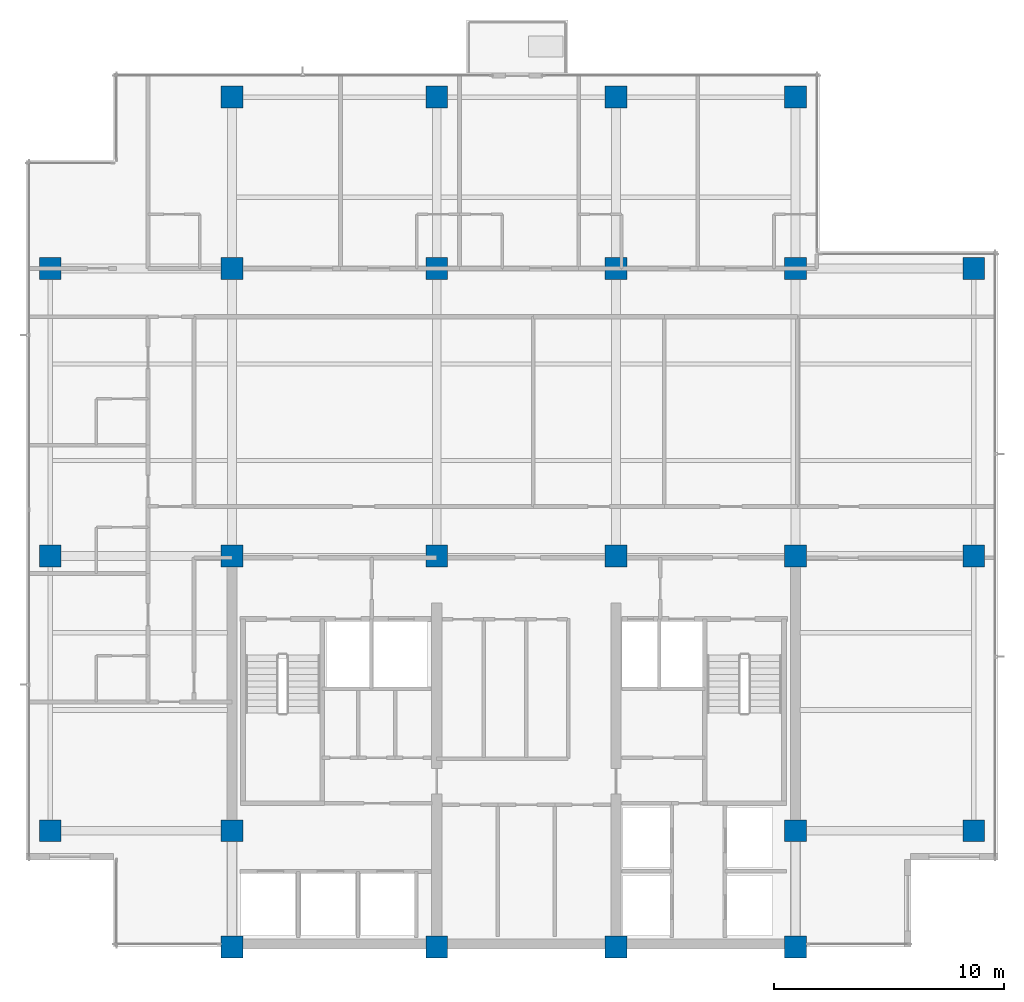
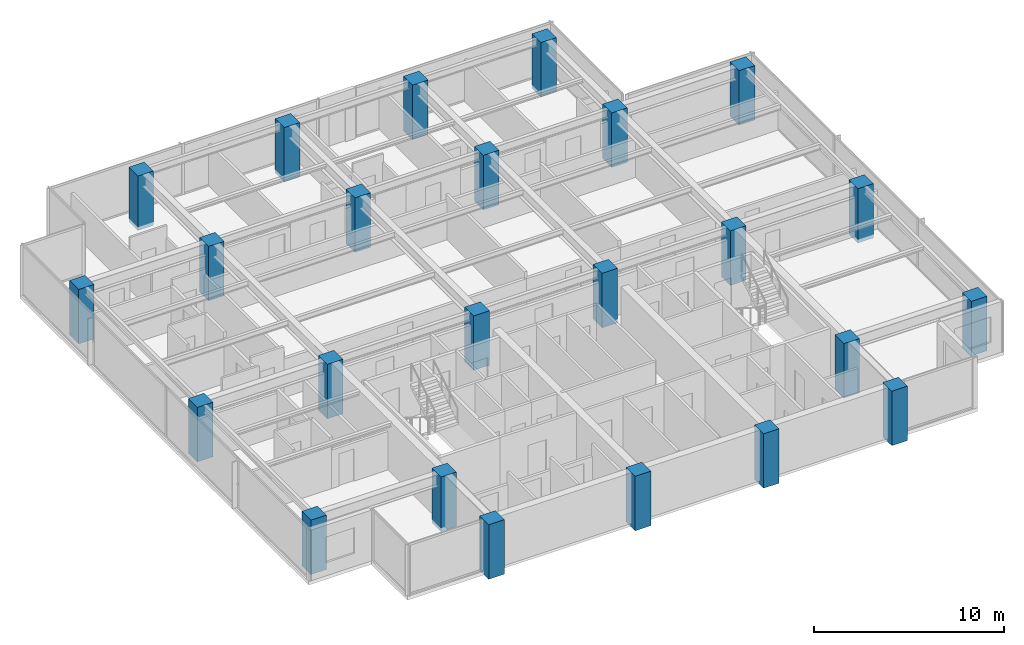
# One storey, part 1 of 15: 24 columns.
"""IFC4 building model written with IfcOpenShell, lengths in metres."""

from ifc_helpers import new_model, si_unit, direction, frame, origin, origin_2d, place, context, subcontext, project, spatial, rectangle, extrude, material, material_profile, profile_set, type_object, element, save


model = new_model("IFC4")

# Units and contexts
model_context = context("Model", 3, precision=1e-05, world=origin(), true_north=direction((0.0, 1.0)))
body_context = subcontext(model_context, "Body", "Model", "MODEL_VIEW")
ifc_project = project(units=[si_unit("LENGTHUNIT", "METRE"), si_unit("AREAUNIT", "SQUARE_METRE"), si_unit("VOLUMEUNIT", "CUBIC_METRE"), si_unit("PLANEANGLEUNIT", "RADIAN"), si_unit("MASSUNIT", "GRAM", prefix="KILO")], contexts=[model_context])

# Site, building, storey
site_placement = place(None, origin())
site = spatial("IfcSite", under=ifc_project, at=site_placement, CompositionType="ELEMENT")
building_placement = place(site_placement, origin())
building = spatial("IfcBuilding", under=site, at=building_placement, Name="Qalmaran Belvedere Hotel", CompositionType="ELEMENT")
storey_placement = place(building_placement, frame((0.0, 0.0, 196.89990234375)))
storey = spatial("IfcBuildingStorey", under=building, at=storey_placement, Name="L49", CompositionType="ELEMENT", Elevation=196.89990234375)

# Columns
ifc_material = material(Name="Concrete C50/60", Category="concrete")
ifc_material_profile = material_profile(ifc_material, rectangle(XDim=0.949951171875, YDim=0.949951171875, at=origin_2d()), Name="CC950X950")
ifc_profile_set = profile_set([ifc_material_profile], Name="Concrete C50/60")
column_type = type_object("IfcColumnType", Name="COL-Z4-CC950", PredefinedType="COLUMN", material=ifc_profile_set)
for number, where, z_axis, x_axis, name in (
    (1, (20.300048828125, 3.5, -0.239990234375), (0.0, 0.0, 1.0), (1.0, 0.0, 0.0), "L49 Column C4B"),
    (2, (29.199951171875, 3.5, -0.239990234375), (0.0, 0.0, 1.0), (1.0, 0.0, 0.0), "L49 Column C5B"),
    (3, (37.0, 3.5, -0.239990234375), (0.0, 0.0, 1.0), (1.0, 0.0, 0.0), "L49 Column C6B"),
    (4, (44.800048828125, 3.5, -0.239990234375), (0.0, 0.0, 1.0), (1.0, 0.0, 0.0), "L49 Column C7B"),
    (5, (20.300048828125, 8.550048828125, -0.239990234375), (0.0, 0.0, 1.0), (1.0, 0.0, 0.0), "L49 Column C4C"),
    (6, (44.800048828125, 8.550048828125, -0.239990234375), (0.0, 0.0, 1.0), (1.0, 0.0, 0.0), "L49 Column C7C"),
    (7, (20.300048828125, 20.5, -0.239990234375), (0.0, 0.0, 1.0), (1.0, 0.0, 0.0), "L49 Column C4D"),
    (8, (29.199951171875, 20.5, -0.239990234375), (0.0, 0.0, 1.0), (1.0, 0.0, 0.0), "L49 Column C5D"),
    (9, (37.0, 20.5, -0.239990234375), (0.0, 0.0, 1.0), (1.0, 0.0, 0.0), "L49 Column C6D"),
    (10, (44.800048828125, 20.5, -0.239990234375), (0.0, 0.0, 1.0), (1.0, 0.0, 0.0), "L49 Column C7D"),
    (11, (20.300048828125, 33.0, -0.239990234375), (0.0, 0.0, 1.0), (1.0, 0.0, 0.0), "L49 Column C4F"),
    (12, (29.199951171875, 33.0, -0.239990234375), (0.0, 0.0, 1.0), (1.0, 0.0, 0.0), "L49 Column C5F"),
    (13, (37.0, 33.0, -0.239990234375), (0.0, 0.0, 1.0), (1.0, 0.0, 0.0), "L49 Column C6F"),
    (14, (44.800048828125, 33.0, -0.239990234375), (0.0, 0.0, 1.0), (1.0, 0.0, 0.0), "L49 Column C7F"),
    (15, (12.39990234375, 8.550048828125, -0.239990234375), (0.0, 0.0, 1.0), (1.0, 0.0, 0.0), "L49 Column CW1"),
    (16, (12.39990234375, 20.5, -0.239990234375), (0.0, 0.0, 1.0), (1.0, 0.0, 0.0), "L49 Column CW3"),
    (17, (12.39990234375, 33.0, -0.239990234375), (0.0, 0.0, 1.0), (1.0, 0.0, 0.0), "L49 Column CW4"),
    (18, (52.550048828125, 8.550048828125, -0.239990234375), (0.0, 0.0, 1.0), (1.0, 0.0, 0.0), "L49 Column CE1"),
    (19, (52.550048828125, 20.5, -0.239990234375), (0.0, 0.0, 1.0), (1.0, 0.0, 0.0), "L49 Column CE3"),
    (20, (52.550048828125, 33.0, -0.239990234375), (0.0, 0.0, 1.0), (1.0, 0.0, 0.0), "L49 Column CE4"),
    (21, (20.300048828125, 40.449951171875, -0.239990234375), (0.0, 0.0, 1.0), (1.0, 0.0, 0.0), "L49 Column CN1"),
    (22, (29.199951171875, 40.449951171875, -0.239990234375), (0.0, 0.0, 1.0), (1.0, 0.0, 0.0), "L49 Column CN2"),
    (23, (37.0, 40.449951171875, -0.239990234375), (0.0, 0.0, 1.0), (1.0, 0.0, 0.0), "L49 Column CN3"),
    (24, (44.800048828125, 40.449951171875, -0.239990234375), (0.0, 0.0, 1.0), (1.0, 0.0, 0.0), "L49 Column CN4"),
):
    element("IfcColumn", number, at=place(storey_placement, frame(where, z_axis=z_axis, x_axis=x_axis)), inside=storey, type_object=column_type, Name=name, PredefinedType="COLUMN", context=body_context, shape_type="SweptSolid", body=[
        extrude(rectangle(XDim=0.949951171875, YDim=0.949951171875, at=origin_2d()), origin(), (0.0, 0.0, 1.0), 3.5),
    ])

save(model, "model.ifc")
